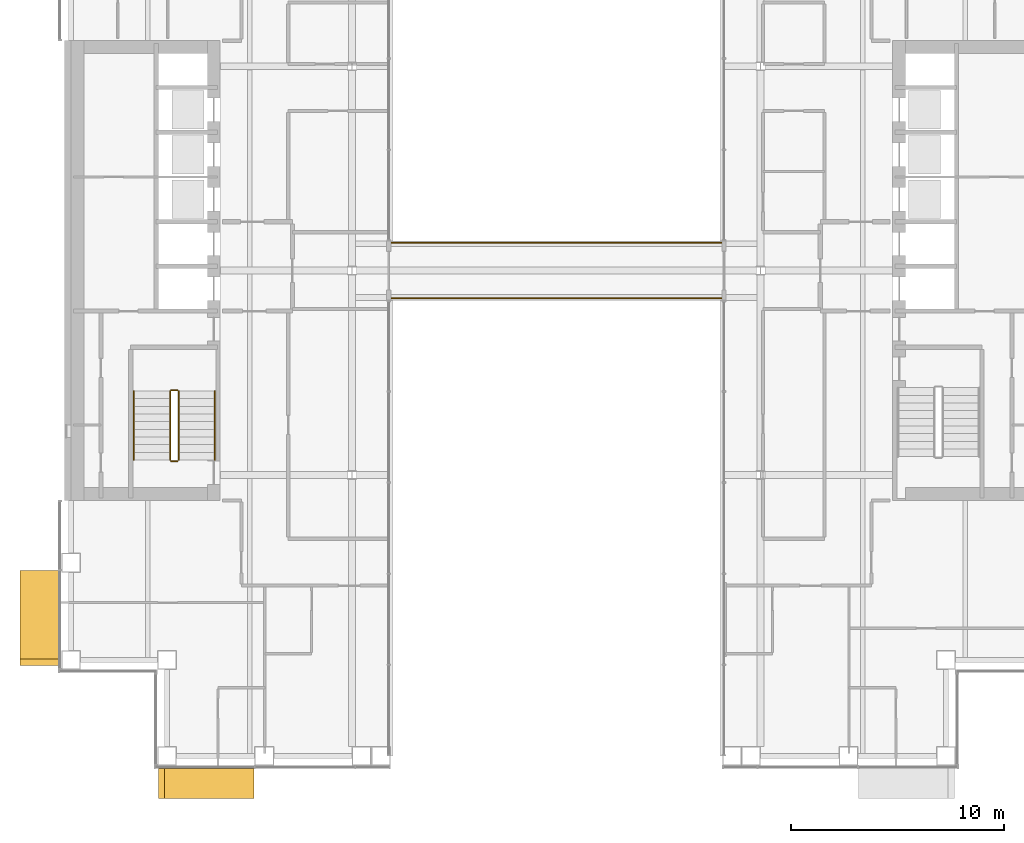
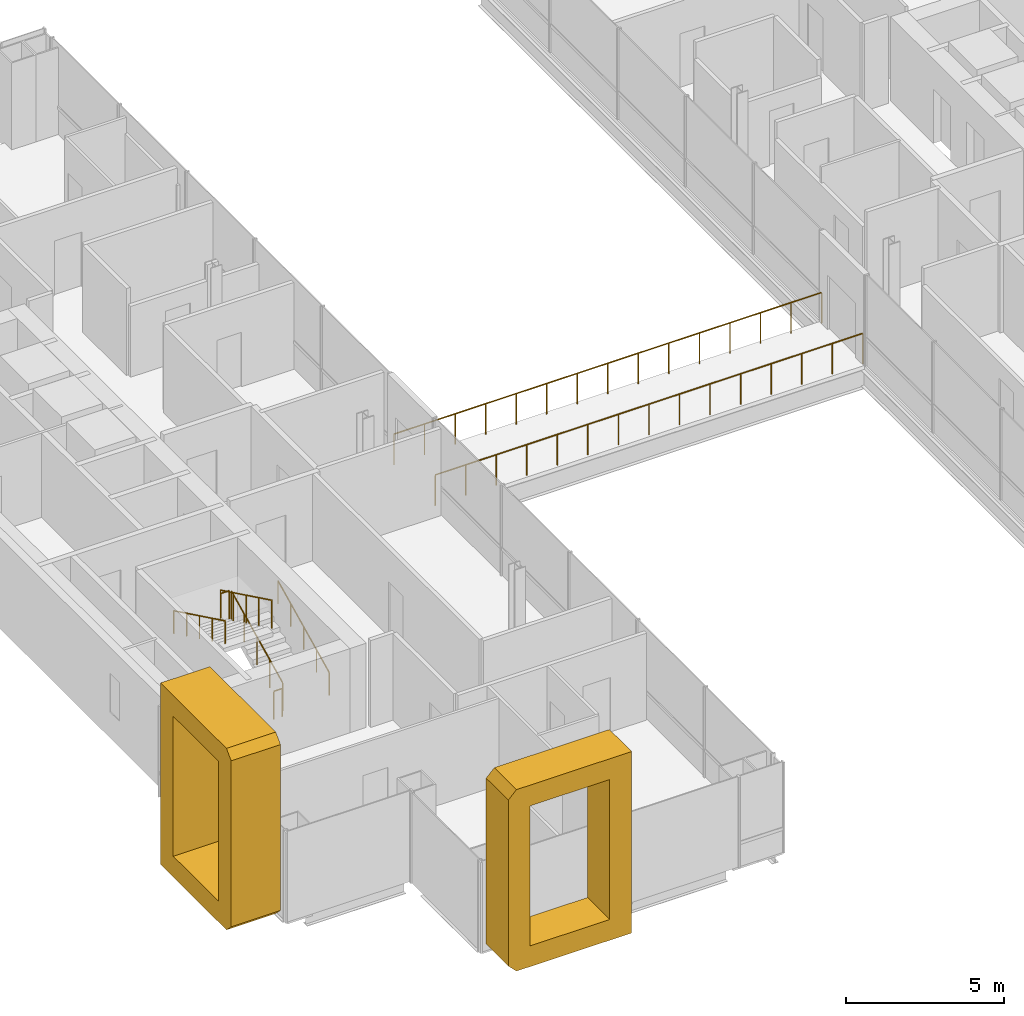
# One storey, part 14 of 17: 8 railings, 2 coverings.
"""IFC4 building model written with IfcOpenShell, lengths in metres."""

import ifcopenshell
import ifcopenshell.guid

model = None  # the IFC model being written
_history = None  # IfcOwnerHistory: only IFC2X3 demands one
_inside = {}  # id of a spatial element -> (the spatial element, [elements in it])
_under = {}  # id of a project, library or spatial element -> (it, [spatial elements below it])
_declared = {}  # id of a project -> (the project, [libraries it declares])
_typed = {}  # id of a type object -> (the type object, [elements of that type])
_made_of = {}  # id of a material, layer set ... -> (it, [elements and type objects made of it])


def new_model(schema):
    """Start an empty IFC model of exactly this schema.

    Asked for "IFC4X3", IfcOpenShell would pick the latest addendum, in which some entities
    have other attributes; the version numbers below select the first issue.
    IFC2X3 requires an IfcOwnerHistory on every rooted entity: one is made here for all.
    """
    global model, _history
    if schema == "IFC4X3":
        model = ifcopenshell.file(schema_version=(4, 3, 0, 0))
    else:
        model = ifcopenshell.file(schema=schema)
    _inside.clear()
    _under.clear()
    _declared.clear()
    _typed.clear()
    _made_of.clear()
    _history = None
    if model.schema == "IFC2X3":
        org = make("IfcOrganization", Name="unknown")
        user = make(
            "IfcPersonAndOrganization",
            ThePerson=make("IfcPerson", FamilyName="unknown"),
            TheOrganization=org,
        )
        app = make(
            "IfcApplication",
            ApplicationDeveloper=org,
            Version="unknown",
            ApplicationFullName="unknown",
            ApplicationIdentifier="unknown",
        )
        _history = make(
            "IfcOwnerHistory",
            OwningUser=user,
            OwningApplication=app,
            ChangeAction="ADDED",
            CreationDate=0,
        )
    return model


def make(cls, **values):
    """One entity of the class cls with the attributes given. An attribute that is None is left unset."""
    return model.create_entity(
        cls, **{name: value for name, value in values.items() if value is not None}
    )


def rooted(cls, **values):
    """An entity with a GlobalId (a new one), such as an element, a storey or a relation."""
    return make(cls, GlobalId=ifcopenshell.guid.new(), OwnerHistory=_history, **values)


def si_unit(unit_type, name, prefix=None):
    """IfcSIUnit, for example si_unit("LENGTHUNIT", "METRE", prefix="MILLI")."""
    return make("IfcSIUnit", UnitType=unit_type, Prefix=prefix, Name=name)


def assignment(units):
    """IfcUnitAssignment: the units of a project."""
    return None if units is None else make("IfcUnitAssignment", Units=units)


def point(xyz):
    """IfcCartesianPoint."""
    return None if xyz is None else make("IfcCartesianPoint", Coordinates=xyz)


def direction(xyz):
    """IfcDirection."""
    return None if xyz is None else make("IfcDirection", DirectionRatios=xyz)


def frame(location, z_axis=None, x_axis=None):
    """IfcAxis2Placement3D, a coordinate frame: its origin and axes. An axis left out is left unset."""
    return make(
        "IfcAxis2Placement3D",
        Location=point(location),
        Axis=direction(z_axis),
        RefDirection=direction(x_axis),
    )


def frame_2d(location, x_axis=None):
    """IfcAxis2Placement2D, a coordinate frame in the plane: its origin and x axis."""
    return make(
        "IfcAxis2Placement2D", Location=point(location), RefDirection=direction(x_axis)
    )


def origin():
    """The frame at (0, 0, 0) with its axes left unset."""
    return frame((0.0, 0.0, 0.0))


def origin_2d():
    """The frame at (0, 0) in the plane with its x axis left unset."""
    return frame_2d((0.0, 0.0))


def place(relative_to, where):
    """IfcLocalPlacement: puts the frame where relative to a parent placement (None: the world)."""
    return make(
        "IfcLocalPlacement", PlacementRelTo=relative_to, RelativePlacement=where
    )


def context(
    kind, dimensions, precision=None, world=None, true_north=None, identifier=None
):
    """IfcGeometricRepresentationContext, for example the 3D "Model" context."""
    return make(
        "IfcGeometricRepresentationContext",
        ContextIdentifier=identifier,
        ContextType=kind,
        CoordinateSpaceDimension=dimensions,
        Precision=precision,
        WorldCoordinateSystem=world,
        TrueNorth=true_north,
    )


def subcontext(parent, identifier, kind, view, scale=None):
    """IfcGeometricRepresentationSubContext, for example "Body" below "Model"."""
    return make(
        "IfcGeometricRepresentationSubContext",
        ContextIdentifier=identifier,
        ContextType=kind,
        ParentContext=parent,
        TargetScale=scale,
        TargetView=view,
    )


def project(units=None, contexts=None):
    """IfcProject with its units and contexts."""
    return rooted(
        "IfcProject",
        Name="project",
        RepresentationContexts=contexts,
        UnitsInContext=assignment(units),
    )


def spatial(cls, under=None, at=None, **own):
    """A site, building, storey or space (cls), placed at a placement, below another one or the project."""
    s = rooted(cls, ObjectPlacement=at, **own)
    if under is not None:
        _under.setdefault(under.id(), (under, []))[1].append(s)
    return s


def polyline(points):
    """IfcPolyline through the points."""
    return make("IfcPolyline", Points=[point(p) for p in points])


def profile(cls, at=None, kind="AREA", **sizes):
    """A parametric profile (cls). Its sizes go by their IFC names, for example OverallWidth=200.0."""
    return make(cls, ProfileType=kind, Position=at, **sizes)


def circle(**sizes):
    """IfcCircleProfileDef."""
    return profile("IfcCircleProfileDef", **sizes)


def outline(outer, holes=None, kind="AREA"):
    """IfcArbitraryClosedProfileDef: a profile drawn as a closed curve; with holes, ...WithVoids."""
    if holes is None:
        return make("IfcArbitraryClosedProfileDef", ProfileType=kind, OuterCurve=outer)
    return make(
        "IfcArbitraryProfileDefWithVoids",
        ProfileType=kind,
        OuterCurve=outer,
        InnerCurves=holes,
    )


def extrude(swept, where, along, depth):
    """IfcExtrudedAreaSolid: the profile swept, set in the frame where, extruded along a direction by depth."""
    return make(
        "IfcExtrudedAreaSolid",
        SweptArea=swept,
        Position=where,
        ExtrudedDirection=direction(along),
        Depth=depth,
    )


def shape(context_of_items, identifier, shape_type, items):
    """IfcShapeRepresentation: the items that make up one representation, for example the "Body"."""
    return make(
        "IfcShapeRepresentation",
        ContextOfItems=context_of_items,
        RepresentationIdentifier=identifier,
        RepresentationType=shape_type,
        Items=items,
    )


def material(Name=None, Category=None):
    """IfcMaterial."""
    return make("IfcMaterial", Name=Name, Category=Category)


def made_of(thing, what):
    """Note that an element or type object is made of a material, layer set ...; save() writes the relation."""
    if what is not None:
        _made_of.setdefault(what.id(), (what, []))[1].append(thing)
    return thing


def type_object(cls, material=None, **own):
    """A type object (cls), such as IfcWallType, which elements share."""
    return made_of(rooted(cls, **own), material)


def element(
    cls,
    number,
    at=None,
    inside=None,
    cuts=None,
    type_object=None,
    material=None,
    context=None,
    identifier="Body",
    shape_type=None,
    held_by="IfcProductDefinitionShape",
    body=None,
    shapes=None,
    **own,
):
    """One element of the class cls, such as IfcWall. Its Tag is "e" and its number.

    at: its placement. inside: the storey or other place that contains it. cuts: it is an
    opening in that element (IfcRelVoidsElement). A single representation is given by context,
    identifier, shape_type and body (its items); several are given by shapes. held_by: the class
    of the entity that holds the representations. save() writes the other relations.
    """
    e = rooted(cls, Tag="e%d" % number, ObjectPlacement=at, **own)
    if body is not None:
        shapes = [shape(context, identifier, shape_type, body)]
    if shapes is not None:
        e.Representation = make(held_by, Representations=shapes)
    if inside is not None:
        _inside.setdefault(inside.id(), (inside, []))[1].append(e)
    if cuts is not None:
        rooted(
            "IfcRelVoidsElement", RelatingBuildingElement=cuts, RelatedOpeningElement=e
        )
    if type_object is not None:
        _typed.setdefault(type_object.id(), (type_object, []))[1].append(e)
    return made_of(e, material)


def aggregate(whole, parts):
    """IfcRelAggregates: a whole, such as a stair, and the parts it consists of."""
    return rooted("IfcRelAggregates", RelatingObject=whole, RelatedObjects=parts)


def save(model, path):
    """Write the relations noted so far, then the file.

    IfcRelAggregates (storeys below a building ...), IfcRelContainedInSpatialStructure (elements
    in a storey), IfcRelDefinesByType, IfcRelAssociatesMaterial and IfcRelDeclares: one each for
    every whole, place, type object, material and project.
    """
    for whole, parts in _under.values():
        aggregate(whole, parts)
    for where, things in _inside.values():
        rooted(
            "IfcRelContainedInSpatialStructure",
            RelatedElements=things,
            RelatingStructure=where,
        )
    for kind, things in _typed.values():
        rooted("IfcRelDefinesByType", RelatedObjects=things, RelatingType=kind)
    for what, things in _made_of.values():
        rooted("IfcRelAssociatesMaterial", RelatedObjects=things, RelatingMaterial=what)
    for by, libraries in _declared.values():
        rooted("IfcRelDeclares", RelatingContext=by, RelatedDefinitions=libraries)
    model.write(path)


model = new_model("IFC4")

# Units and contexts
model_context = context("Model", 3, precision=1e-05, world=origin(), true_north=direction((0.0, 1.0)))
body_context = subcontext(model_context, "Body", "Model", "MODEL_VIEW")
ifc_project = project(units=[si_unit("LENGTHUNIT", "METRE"), si_unit("AREAUNIT", "SQUARE_METRE"), si_unit("VOLUMEUNIT", "CUBIC_METRE"), si_unit("PLANEANGLEUNIT", "RADIAN"), si_unit("MASSUNIT", "GRAM", prefix="KILO")], contexts=[model_context])

# Site, building, storey
site_placement = place(None, origin())
site = spatial("IfcSite", under=ifc_project, at=site_placement, CompositionType="ELEMENT")
building_placement = place(site_placement, origin())
building = spatial("IfcBuilding", under=site, at=building_placement, Name="Cobrizo Arcos Hotel Tower", CompositionType="ELEMENT")
storey_placement = place(building_placement, frame((0.0, 0.0, 131.0)))
storey = spatial("IfcBuildingStorey", under=building, at=storey_placement, Name="L33", CompositionType="ELEMENT", Elevation=131.0)

# Coverings
ifc_material_1 = material(Name="Aluminium 6063-T6 anodised bronze", Category="aluminium")
covering_type_1 = type_object("IfcCoveringType", Name="FIN-F 1400", PredefinedType="CLADDING", material=ifc_material_1)
covering_1_placement = place(storey_placement, frame((-18.699951171875, -23.39990234375, 0.0), z_axis=(0.0, -1.0, 0.0), x_axis=(1.0, 0.0, 0.0)))
element("IfcCovering", 1, at=covering_1_placement, inside=storey, type_object=covering_type_1, Name="Fin frame 147", PredefinedType="CLADDING", context=body_context, shape_type="SweptSolid", body=[
    extrude(outline(polyline([(0.0, 0.300048828125), (0.300048828125, 0.0), (4.5, 0.0), (4.5, 7.0), (0.300048828125, 7.0), (0.0, 6.699951171875), (0.0, 0.300048828125)]), holes=[polyline([(3.699951171875, 0.800048828125), (0.800048828125, 0.800048828125), (0.800048828125, 6.199951171875), (3.699951171875, 6.199951171875), (3.699951171875, 0.800048828125)])]), origin(), (0.0, 0.0, 1.0), 1.400146484375),
])
covering_type_2 = type_object("IfcCoveringType", Name="FIN-F 1800", PredefinedType="CLADDING", material=ifc_material_1)
covering_2_placement = place(storey_placement, frame((-23.39990234375, -14.08740234375, 0.0), z_axis=(-1.0, 0.0, 0.0), x_axis=(0.0, -1.0, 0.0)))
element("IfcCovering", 2, at=covering_2_placement, inside=storey, type_object=covering_type_2, Name="Fin frame 170", PredefinedType="CLADDING", context=body_context, shape_type="SweptSolid", body=[
    extrude(outline(polyline([(0.0, 7.0), (0.0, 0.0), (4.16259765625, 0.0), (4.46240234375, 0.300048828125), (4.46240234375, 6.699951171875), (4.16259765625, 7.0), (0.0, 7.0)]), holes=[polyline([(3.66259765625, 0.800048828125), (0.800048828125, 0.800048828125), (0.800048828125, 6.199951171875), (3.66259765625, 6.199951171875), (3.66259765625, 0.800048828125)])]), origin(), (0.0, 0.0, 1.0), 1.800048828125),
])

# Railings
ifc_material_2 = material(Name="Stainless steel railing", Category="steel")
railing_type_1 = type_object("IfcRailingType", Name="Sky bridge guard 1200", PredefinedType="GUARDRAIL", material=ifc_material_2)
railing_1_placement = place(storey_placement, frame((-7.800048828125, 1.300048828125, 0.0)))
element("IfcRailing", 3, at=railing_1_placement, inside=storey, type_object=railing_type_1, Name="Sky bridge north guard", PredefinedType="GUARDRAIL", context=body_context, shape_type="SweptSolid", body=[
    extrude(circle(Radius=0.02392578125, at=origin_2d()), frame((0.0, 0.0, 1.17578125), z_axis=(1.0, 0.0, 0.0), x_axis=(0.0, 1.0, 0.0)), (0.0, 0.0, 1.0), 15.60009765625),
    extrude(circle(Radius=0.02099609375, at=origin_2d()), origin(), (0.0, 0.0, 1.0), 1.15185546875),
    extrude(circle(Radius=0.02099609375, at=origin_2d()), frame((1.1142578125, 0.0, 0.0)), (0.0, 0.0, 1.0), 1.15185546875),
    extrude(circle(Radius=0.02099609375, at=origin_2d()), frame((2.228515625, 0.0, 0.0)), (0.0, 0.0, 1.0), 1.15185546875),
    extrude(circle(Radius=0.02099609375, at=origin_2d()), frame((3.3427734375, 0.0, 0.0)), (0.0, 0.0, 1.0), 1.15185546875),
    extrude(circle(Radius=0.02099609375, at=origin_2d()), frame((4.457275390625, 0.0, 0.0)), (0.0, 0.0, 1.0), 1.15185546875),
    extrude(circle(Radius=0.02099609375, at=origin_2d()), frame((5.571533203125, 0.0, 0.0)), (0.0, 0.0, 1.0), 1.15185546875),
    extrude(circle(Radius=0.02099609375, at=origin_2d()), frame((6.685791015625, 0.0, 0.0)), (0.0, 0.0, 1.0), 1.15185546875),
    extrude(circle(Radius=0.02099609375, at=origin_2d()), frame((7.800048828125, 0.0, 0.0)), (0.0, 0.0, 1.0), 1.15185546875),
    extrude(circle(Radius=0.02099609375, at=origin_2d()), frame((8.914306640625, 0.0, 0.0)), (0.0, 0.0, 1.0), 1.15185546875),
    extrude(circle(Radius=0.02099609375, at=origin_2d()), frame((10.028564453125, 0.0, 0.0)), (0.0, 0.0, 1.0), 1.15185546875),
    extrude(circle(Radius=0.02099609375, at=origin_2d()), frame((11.142822265625, 0.0, 0.0)), (0.0, 0.0, 1.0), 1.15185546875),
    extrude(circle(Radius=0.02099609375, at=origin_2d()), frame((12.25732421875, 0.0, 0.0)), (0.0, 0.0, 1.0), 1.15185546875),
    extrude(circle(Radius=0.02099609375, at=origin_2d()), frame((13.37158203125, 0.0, 0.0)), (0.0, 0.0, 1.0), 1.15185546875),
    extrude(circle(Radius=0.02099609375, at=origin_2d()), frame((14.48583984375, 0.0, 0.0)), (0.0, 0.0, 1.0), 1.15185546875),
    extrude(circle(Radius=0.02099609375, at=origin_2d()), frame((15.60009765625, 0.0, 0.0)), (0.0, 0.0, 1.0), 1.15185546875),
])
railing_2_placement = place(storey_placement, frame((-7.800048828125, -1.300048828125, 0.0)))
element("IfcRailing", 4, at=railing_2_placement, inside=storey, type_object=railing_type_1, Name="Sky bridge south guard", PredefinedType="GUARDRAIL", context=body_context, shape_type="SweptSolid", body=[
    extrude(circle(Radius=0.02392578125, at=origin_2d()), frame((0.0, 0.0, 1.17578125), z_axis=(1.0, 0.0, 0.0), x_axis=(0.0, 1.0, 0.0)), (0.0, 0.0, 1.0), 15.60009765625),
    extrude(circle(Radius=0.02099609375, at=origin_2d()), origin(), (0.0, 0.0, 1.0), 1.15185546875),
    extrude(circle(Radius=0.02099609375, at=origin_2d()), frame((1.1142578125, 0.0, 0.0)), (0.0, 0.0, 1.0), 1.15185546875),
    extrude(circle(Radius=0.02099609375, at=origin_2d()), frame((2.228515625, 0.0, 0.0)), (0.0, 0.0, 1.0), 1.15185546875),
    extrude(circle(Radius=0.02099609375, at=origin_2d()), frame((3.3427734375, 0.0, 0.0)), (0.0, 0.0, 1.0), 1.15185546875),
    extrude(circle(Radius=0.02099609375, at=origin_2d()), frame((4.457275390625, 0.0, 0.0)), (0.0, 0.0, 1.0), 1.15185546875),
    extrude(circle(Radius=0.02099609375, at=origin_2d()), frame((5.571533203125, 0.0, 0.0)), (0.0, 0.0, 1.0), 1.15185546875),
    extrude(circle(Radius=0.02099609375, at=origin_2d()), frame((6.685791015625, 0.0, 0.0)), (0.0, 0.0, 1.0), 1.15185546875),
    extrude(circle(Radius=0.02099609375, at=origin_2d()), frame((7.800048828125, 0.0, 0.0)), (0.0, 0.0, 1.0), 1.15185546875),
    extrude(circle(Radius=0.02099609375, at=origin_2d()), frame((8.914306640625, 0.0, 0.0)), (0.0, 0.0, 1.0), 1.15185546875),
    extrude(circle(Radius=0.02099609375, at=origin_2d()), frame((10.028564453125, 0.0, 0.0)), (0.0, 0.0, 1.0), 1.15185546875),
    extrude(circle(Radius=0.02099609375, at=origin_2d()), frame((11.142822265625, 0.0, 0.0)), (0.0, 0.0, 1.0), 1.15185546875),
    extrude(circle(Radius=0.02099609375, at=origin_2d()), frame((12.25732421875, 0.0, 0.0)), (0.0, 0.0, 1.0), 1.15185546875),
    extrude(circle(Radius=0.02099609375, at=origin_2d()), frame((13.37158203125, 0.0, 0.0)), (0.0, 0.0, 1.0), 1.15185546875),
    extrude(circle(Radius=0.02099609375, at=origin_2d()), frame((14.48583984375, 0.0, 0.0)), (0.0, 0.0, 1.0), 1.15185546875),
    extrude(circle(Radius=0.02099609375, at=origin_2d()), frame((15.60009765625, 0.0, 0.0)), (0.0, 0.0, 1.0), 1.15185546875),
])
railing_type_2 = type_object("IfcRailingType", Name="Stair guard 1100", PredefinedType="GUARDRAIL", material=ifc_material_2)
railing_3_placement = place(storey_placement, frame((-17.75, -8.89990234375, 0.175048828125)))
element("IfcRailing", 5, at=railing_3_placement, inside=storey, type_object=railing_type_2, Name="L33 ST-W stair guard 1", PredefinedType="GUARDRAIL", context=body_context, shape_type="SweptSolid", body=[
    extrude(circle(Radius=0.02392578125, at=origin_2d()), frame((0.0, 0.0, 1.076171875), z_axis=(0.0, 0.899372665325, 0.437182809435), x_axis=(-1.0, 0.0, 0.0)), (0.0, 0.0, 1.0), 3.6025390625),
    extrude(circle(Radius=0.02099609375, at=origin_2d()), origin(), (0.0, 0.0, 1.0), 1.052001953125),
    extrude(circle(Radius=0.02099609375, at=origin_2d()), frame((0.0, 0.81005859375, 0.393798828125)), (0.0, 0.0, 1.0), 1.052001953125),
    extrude(circle(Radius=0.02099609375, at=origin_2d()), frame((0.0, 1.6201171875, 0.78759765625)), (0.0, 0.0, 1.0), 1.052001953125),
    extrude(circle(Radius=0.02099609375, at=origin_2d()), frame((0.0, 2.429931640625, 1.18115234375)), (0.0, 0.0, 1.0), 1.052001953125),
    extrude(circle(Radius=0.02099609375, at=origin_2d()), frame((0.0, 3.239990234375, 1.574951171875)), (0.0, 0.0, 1.0), 1.052001953125),
])
railing_4_placement = place(storey_placement, frame((-17.800048828125, -5.610107421875, 1.75)))
element("IfcRailing", 6, at=railing_4_placement, inside=storey, type_object=railing_type_2, Name="L33 ST-W stair guard 2", PredefinedType="GUARDRAIL", context=body_context, shape_type="SweptSolid", body=[
    extrude(circle(Radius=0.02392578125, at=origin_2d()), frame((0.0, 0.0, 1.076171875), z_axis=(-1.0, 0.0, 0.0), x_axis=(0.0, -1.0, 0.0)), (0.0, 0.0, 1.0), 0.300048828125),
    extrude(circle(Radius=0.02099609375, at=origin_2d()), origin(), (0.0, 0.0, 1.0), 1.052001953125),
    extrude(circle(Radius=0.02099609375, at=origin_2d()), frame((-0.300048828125, 0.0, 0.0)), (0.0, 0.0, 1.0), 1.052001953125),
])
railing_5_placement = place(storey_placement, frame((-18.14990234375, -5.659912109375, 1.925048828125)))
element("IfcRailing", 7, at=railing_5_placement, inside=storey, type_object=railing_type_2, Name="L33 ST-W stair guard 3", PredefinedType="GUARDRAIL", context=body_context, shape_type="SweptSolid", body=[
    extrude(circle(Radius=0.02392578125, at=origin_2d()), frame((0.0, 0.0, 1.076171875), z_axis=(0.0, -0.899372665325, 0.437182809435), x_axis=(1.0, 0.0, 0.0)), (0.0, 0.0, 1.0), 3.6025390625),
    extrude(circle(Radius=0.02099609375, at=origin_2d()), origin(), (0.0, 0.0, 1.0), 1.052001953125),
    extrude(circle(Radius=0.02099609375, at=origin_2d()), frame((0.0, -0.81005859375, 0.393798828125)), (0.0, 0.0, 1.0), 1.052001953125),
    extrude(circle(Radius=0.02099609375, at=origin_2d()), frame((0.0, -1.6201171875, 0.78759765625)), (0.0, 0.0, 1.0), 1.052001953125),
    extrude(circle(Radius=0.02099609375, at=origin_2d()), frame((0.0, -2.429931640625, 1.18115234375)), (0.0, 0.0, 1.0), 1.052001953125),
    extrude(circle(Radius=0.02099609375, at=origin_2d()), frame((0.0, -3.239990234375, 1.574951171875)), (0.0, 0.0, 1.0), 1.052001953125),
])
railing_6_placement = place(storey_placement, frame((-17.800048828125, -8.949951171875, 0.0)))
element("IfcRailing", 8, at=railing_6_placement, inside=storey, type_object=railing_type_2, Name="L33 ST-W stair guard 4", PredefinedType="GUARDRAIL", context=body_context, shape_type="SweptSolid", body=[
    extrude(circle(Radius=0.02392578125, at=origin_2d()), frame((0.0, 0.0, 1.076171875), z_axis=(-1.0, 0.0, 0.0), x_axis=(0.0, -1.0, 0.0)), (0.0, 0.0, 1.0), 0.300048828125),
    extrude(circle(Radius=0.02099609375, at=origin_2d()), origin(), (0.0, 0.0, 1.0), 1.052001953125),
    extrude(circle(Radius=0.02099609375, at=origin_2d()), frame((-0.300048828125, 0.0, 0.0)), (0.0, 0.0, 1.0), 1.052001953125),
])
railing_type_3 = type_object("IfcRailingType", Name="Stair handrail", PredefinedType="HANDRAIL", material=ifc_material_2)
railing_7_placement = place(storey_placement, frame((-16.050048828125, -8.89990234375, 0.175048828125)))
element("IfcRailing", 9, at=railing_7_placement, inside=storey, type_object=railing_type_3, Name="L33 ST-W stair handrail 1", PredefinedType="HANDRAIL", context=body_context, shape_type="SweptSolid", body=[
    extrude(circle(Radius=0.02392578125, at=origin_2d()), frame((0.0, 0.0, 0.8759765625), z_axis=(0.0, 0.899372665325, 0.437182809435), x_axis=(-1.0, 0.0, 0.0)), (0.0, 0.0, 1.0), 3.6025390625),
    extrude(circle(Radius=0.02099609375, at=origin_2d()), origin(), (0.0, 0.0, 1.0), 0.851806640625),
    extrude(circle(Radius=0.02099609375, at=origin_2d()), frame((0.0, 0.81005859375, 0.393798828125)), (0.0, 0.0, 1.0), 0.851806640625),
    extrude(circle(Radius=0.02099609375, at=origin_2d()), frame((0.0, 1.6201171875, 0.78759765625)), (0.0, 0.0, 1.0), 0.851806640625),
    extrude(circle(Radius=0.02099609375, at=origin_2d()), frame((0.0, 2.429931640625, 1.18115234375)), (0.0, 0.0, 1.0), 0.851806640625),
    extrude(circle(Radius=0.02099609375, at=origin_2d()), frame((0.0, 3.239990234375, 1.574951171875)), (0.0, 0.0, 1.0), 0.851806640625),
])
railing_8_placement = place(storey_placement, frame((-19.85009765625, -5.659912109375, 1.925048828125)))
element("IfcRailing", 10, at=railing_8_placement, inside=storey, type_object=railing_type_3, Name="L33 ST-W stair handrail 2", PredefinedType="HANDRAIL", context=body_context, shape_type="SweptSolid", body=[
    extrude(circle(Radius=0.02392578125, at=origin_2d()), frame((0.0, 0.0, 0.8759765625), z_axis=(0.0, -0.899372665325, 0.437182809435), x_axis=(1.0, 0.0, 0.0)), (0.0, 0.0, 1.0), 3.6025390625),
    extrude(circle(Radius=0.02099609375, at=origin_2d()), origin(), (0.0, 0.0, 1.0), 0.851806640625),
    extrude(circle(Radius=0.02099609375, at=origin_2d()), frame((0.0, -0.81005859375, 0.393798828125)), (0.0, 0.0, 1.0), 0.851806640625),
    extrude(circle(Radius=0.02099609375, at=origin_2d()), frame((0.0, -1.6201171875, 0.78759765625)), (0.0, 0.0, 1.0), 0.851806640625),
    extrude(circle(Radius=0.02099609375, at=origin_2d()), frame((0.0, -2.429931640625, 1.18115234375)), (0.0, 0.0, 1.0), 0.851806640625),
    extrude(circle(Radius=0.02099609375, at=origin_2d()), frame((0.0, -3.239990234375, 1.574951171875)), (0.0, 0.0, 1.0), 0.851806640625),
])

save(model, "model.ifc")
